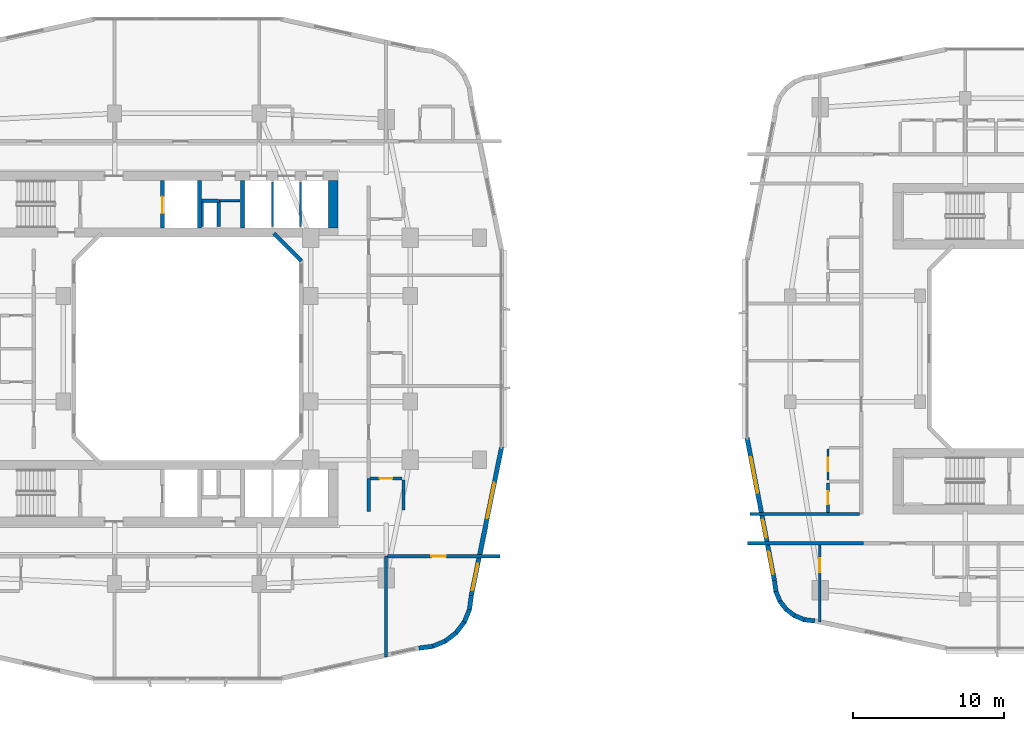
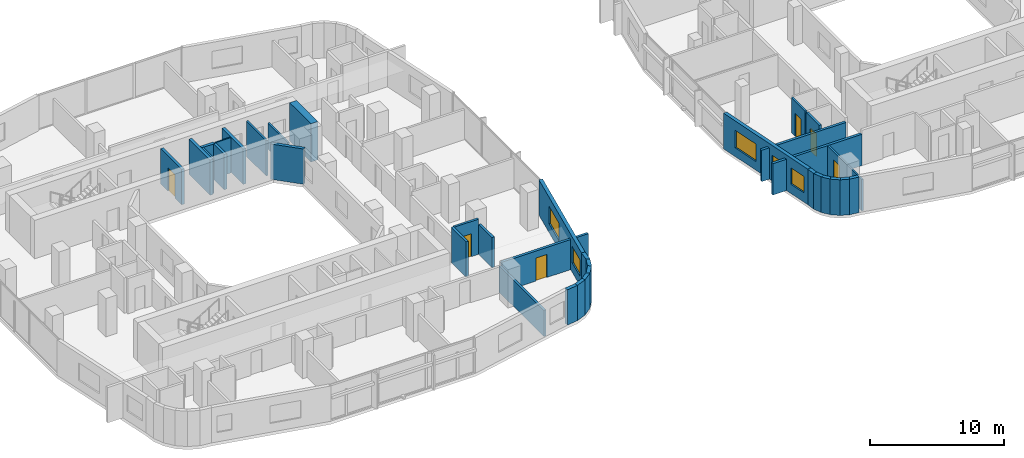
# One storey, part 15 of 27: 35 walls, 6 doors, 5 windows, 11 openings.
"""IFC4 building model written with IfcOpenShell, lengths in metres."""

from ifc_helpers import new_model, si_unit, derived_unit, direction, frame, frame_2d, origin, place, context, subcontext, project, spatial, rectangle, extrude, material, layer, layer_set, type_object, element, fill, save


model = new_model("IFC4")

# Units and contexts
model_context = context("Model", 3, precision=1e-05, world=origin(), true_north=direction((0.0, 1.0)))
body_context = subcontext(model_context, "Body", "Model", "MODEL_VIEW")
ifc_project = project(units=[si_unit("LENGTHUNIT", "METRE"), si_unit("AREAUNIT", "SQUARE_METRE"), si_unit("VOLUMEUNIT", "CUBIC_METRE"), si_unit("PLANEANGLEUNIT", "RADIAN"), si_unit("MASSUNIT", "GRAM", prefix="KILO"), derived_unit("THERMALTRANSMITTANCEUNIT", [(si_unit("POWERUNIT", "WATT"), 1), (si_unit("LENGTHUNIT", "METRE"), -2), (si_unit("THERMODYNAMICTEMPERATUREUNIT", "KELVIN"), -1)])], contexts=[model_context])

# Site, building, storey
site_placement = place(None, origin())
site = spatial("IfcSite", under=ifc_project, at=site_placement, CompositionType="ELEMENT")
building_placement = place(site_placement, origin())
building = spatial("IfcBuilding", under=site, at=building_placement, Name="Kivonza Crest Hotel", CompositionType="ELEMENT")
storey_placement = place(building_placement, frame((0.0, 0.0, 34.5)))
storey = spatial("IfcBuildingStorey", under=building, at=storey_placement, Name="L08", CompositionType="ELEMENT", Elevation=34.5)

# Wall
ifc_material_1 = material(Name="High-density acoustic masonry inter-tenancy wall", Category="masonry")
ifc_layer_1 = layer(ifc_material_1, 0.179931640625)
ifc_layer_set_1 = layer_set([ifc_layer_1], Name="High-density acoustic masonry inter-tenancy wall")
wall_type_1 = type_object("IfcWallType", Name="WL-ACOU-180", PredefinedType="SOLIDWALL", material=ifc_layer_set_1)
wall_1_placement = place(storey_placement, frame((34.199951171875, 4.575927734375, 0.0), z_axis=(0.0, 0.0, 1.0), x_axis=(0.0, 1.0, 0.0)))
element("IfcWall", 1, at=wall_1_placement, inside=storey, type_object=wall_type_1, Name="L08 interior partition WA-L08-T1S-DIV4", PredefinedType="SOLIDWALL", context=body_context, shape_type="SweptSolid", body=[
    extrude(rectangle(XDim=6.674072265625, YDim=0.179931640625, at=frame_2d((3.3369140625, 0.0))), origin(), (0.0, 0.0, 1.0), 2.39501953125),
])

# Wall, opening, door
ifc_material_2 = material(Name="Autoclaved aerated concrete blockwork", Category="masonry")
ifc_layer_2 = layer(ifc_material_2, 0.219970703125)
ifc_layer_set_2 = layer_set([ifc_layer_2], Name="Autoclaved aerated concrete blockwork")
wall_type_2 = type_object("IfcWallType", Name="WL-ACOU-220", PredefinedType="SOLIDWALL", material=ifc_layer_set_2)
wall_2_placement = place(storey_placement, frame((34.300048828125, 11.25, 0.0), z_axis=(0.0, 0.0, 1.0), x_axis=(1.0, 0.0, 0.0)))
wall_2 = element("IfcWall", 2, at=wall_2_placement, inside=storey, type_object=wall_type_2, Name="L08 interior partition WA-L08-BUS-MTG-N", PredefinedType="SOLIDWALL", context=body_context, shape_type="SweptSolid", body=[
    extrude(rectangle(XDim=7.43994140625, YDim=0.219970703125, at=frame_2d((3.719970703125, 0.0))), origin(), (0.0, 0.0, 1.0), 2.7451171875),
])
opening_1_placement = place(wall_2_placement, frame((2.910888671875, 0.0, 0.0)))
opening_1 = element("IfcOpeningElement", 3, at=opening_1_placement, cuts=wall_2, Name="Opening DF-60S", PredefinedType="OPENING", context=body_context, shape_type="SweptSolid", body=[
    extrude(rectangle(XDim=0.949951171875, YDim=2.10009765625, at=frame_2d((0.47509765625, 1.050048828125))), frame((0.0, 0.1201171875, 0.0), z_axis=(0.0, -1.0, 0.0), x_axis=(1.0, 0.0, 0.0)), (0.0, 0.0, 1.0), 0.239990234375),
])
ifc_material_3 = material(Name="Hardwood timber oak", Category="wood")
door_type_1 = type_object("IfcDoorType", Name="DR-FD60-950", OperationType="NOTDEFINED", PredefinedType="DOOR", material=ifc_material_3)
door_1_placement = place(opening_1_placement, frame((0.949951171875, 0.0, 0.0), z_axis=(0.0, 0.0, 1.0), x_axis=(-1.0, 0.0, 0.0)))
door_1 = element("IfcDoor", 4, at=door_1_placement, inside=storey, type_object=door_type_1, Name="L08 Floor Beverage Kitchen door", OperationType="SINGLE_SWING_RIGHT", OverallHeight=2.10009765625, OverallWidth=0.949951171875, PredefinedType="DOOR", context=body_context, shape_type="SweptSolid", body=[
    extrude(rectangle(XDim=0.949951171875, YDim=2.10009765625, at=frame_2d((0.47509765625, 1.050048828125))), frame((0.0, 0.02490234375, 0.0), z_axis=(0.0, -1.0, 0.0), x_axis=(1.0, 0.0, 0.0)), (0.0, 0.0, 1.0), 0.050048828125),
])
fill(opening_1, door_1)

# Walls
wall_3_placement = place(storey_placement, frame((33.050048828125, 14.199951171875, 0.0), z_axis=(0.0, 0.0, 1.0), x_axis=(0.0, 1.0, 0.0)))
element("IfcWall", 5, at=wall_3_placement, inside=storey, type_object=wall_type_2, Name="L08 interior partition WA-L08-E10-BCORR", PredefinedType="SOLIDWALL", context=body_context, shape_type="SweptSolid", body=[
    extrude(rectangle(XDim=2.199951171875, YDim=0.219970703125, at=frame_2d((1.10009765625, 0.0))), origin(), (0.0, 0.0, 1.0), 3.219970703125),
])
wall_4_placement = place(storey_placement, frame((58.159912109375, 12.10009765625, 0.0), z_axis=(0.0, 0.0, 1.0), x_axis=(1.0, 0.0, 0.0)))
element("IfcWall", 6, at=wall_4_placement, inside=storey, type_object=wall_type_2, Name="L08 interior partition WA-L08-A04-LCORR", PredefinedType="SOLIDWALL", context=body_context, shape_type="SweptSolid", body=[
    extrude(rectangle(XDim=7.690185546875, YDim=0.219970703125, at=frame_2d((3.84521484375, 0.0))), origin(), (0.0, 0.0, 1.0), 2.864990234375),
])
wall_5_placement = place(storey_placement, frame((58.320068359375, 14.0400390625, 0.0), z_axis=(0.0, 0.0, 1.0), x_axis=(1.0, 0.0, 0.0)))
element("IfcWall", 7, at=wall_5_placement, inside=storey, type_object=wall_type_2, Name="L08 interior partition WA-L08-T2W-ENDS", PredefinedType="SOLIDWALL", context=body_context, shape_type="SweptSolid", body=[
    extrude(rectangle(XDim=7.280029296875, YDim=0.219970703125, at=frame_2d((3.64013671875, 0.0))), origin(), (0.0, 0.0, 1.0), 2.864990234375),
])
ifc_material_4 = material(Name="Concrete C60/75", Category="concrete")
ifc_layer_3 = layer(ifc_material_4, 0.60009765625)
ifc_layer_set_3 = layer_set([ifc_layer_3], Name="Concrete C60/75")
wall_type_3 = type_object("IfcWallType", Name="WL-CORE-600", PredefinedType="SHEAR", material=ifc_layer_set_3)
wall_6_placement = place(storey_placement, frame((30.699951171875, 33.0, 0.0), z_axis=(0.0, 0.0, 1.0), x_axis=(0.0, 1.0, 0.0)))
element("IfcWall", 8, at=wall_6_placement, inside=storey, type_object=wall_type_3, Name="Core wall T1-N East L08", PredefinedType="SHEAR", context=body_context, shape_type="SweptSolid", body=[
    extrude(rectangle(XDim=3.159912109375, YDim=0.60009765625, at=frame_2d((1.580078125, 0.0))), origin(), (0.0, 0.0, 1.0), 3.5),
])
ifc_material_5 = material(Name="Precast concrete C40/50", Category="concrete")
ifc_layer_4 = layer(ifc_material_5, 0.260009765625)
ifc_layer_set_4 = layer_set([ifc_layer_4], Name="Precast concrete C40/50")
wall_type_4 = type_object("IfcWallType", Name="WL-EXT-260", PredefinedType="STANDARD", material=ifc_layer_set_4)
wall_7_placement = place(storey_placement, frame((28.595947265625, 30.827880859375, 0.0), z_axis=(0.0, 0.0, 1.0), x_axis=(-0.707059717605, 0.707153841636, 0.0)))
element("IfcWall", 9, at=wall_7_placement, inside=storey, type_object=wall_type_4, Name="L08 T1 light-well exterior wall 4", PredefinedType="STANDARD", context=body_context, shape_type="SweptSolid", body=[
    extrude(rectangle(XDim=2.59375, YDim=0.260009765625, at=frame_2d((1.296875, 0.0))), origin(), (0.0, 0.0, 1.0), 3.219970703125),
])
ifc_layer_5 = layer(ifc_material_5, 0.300048828125)
ifc_layer_set_5 = layer_set([ifc_layer_5], Name="Precast concrete C40/50")
wall_type_5 = type_object("IfcWallType", Name="WL-EXT-300", PredefinedType="STANDARD", material=ifc_layer_set_5)
wall_8_placement = place(storey_placement, frame((36.3720703125, 5.14794921875, 0.0), z_axis=(0.0, 0.0, 1.0), x_axis=(0.991359246108, 0.131174864804, 0.0)))
element("IfcWall", 10, at=wall_8_placement, inside=storey, type_object=wall_type_5, Name="L08 T1 exterior insulated wall 10", PredefinedType="STANDARD", context=body_context, shape_type="SweptSolid", body=[
    extrude(rectangle(XDim=0.93798828125, YDim=0.300048828125, at=frame_2d((0.468994140625, 0.0))), origin(), (0.0, 0.0, 1.0), 3.219970703125),
])
wall_9_placement = place(storey_placement, frame((37.251953125, 5.251953125, 0.0), z_axis=(0.0, 0.0, 1.0), x_axis=(0.924019948111, 0.382344263057, 0.0)))
element("IfcWall", 11, at=wall_9_placement, inside=storey, type_object=wall_type_5, Name="L08 T1 exterior insulated wall 11", PredefinedType="STANDARD", context=body_context, shape_type="SweptSolid", body=[
    extrude(rectangle(XDim=0.95458984375, YDim=0.300048828125, at=frame_2d((0.477294921875, 0.0))), origin(), (0.0, 0.0, 1.0), 3.219970703125),
])
wall_10_placement = place(storey_placement, frame((38.089111328125, 5.5859375, 0.0), z_axis=(0.0, 0.0, 1.0), x_axis=(0.793573440799, 0.608474481025, 0.0)))
element("IfcWall", 12, at=wall_10_placement, inside=storey, type_object=wall_type_5, Name="L08 T1 exterior insulated wall 12", PredefinedType="STANDARD", context=body_context, shape_type="SweptSolid", body=[
    extrude(rectangle(XDim=0.954833984375, YDim=0.300048828125, at=frame_2d((0.4775390625, 0.0))), origin(), (0.0, 0.0, 1.0), 3.219970703125),
])
wall_11_placement = place(storey_placement, frame((38.81201171875, 6.125, 0.0), z_axis=(0.0, 0.0, 1.0), x_axis=(0.608351047625, 0.793668068435, 0.0)))
element("IfcWall", 13, at=wall_11_placement, inside=storey, type_object=wall_type_5, Name="L08 T1 exterior insulated wall 13", PredefinedType="STANDARD", context=body_context, shape_type="SweptSolid", body=[
    extrude(rectangle(XDim=0.955078125, YDim=0.300048828125, at=frame_2d((0.4775390625, 0.0))), origin(), (0.0, 0.0, 1.0), 3.219970703125),
])
wall_12_placement = place(storey_placement, frame((39.368896484375, 6.833984375, 0.0), z_axis=(0.0, 0.0, 1.0), x_axis=(0.382344263057, 0.924019948111, 0.0)))
element("IfcWall", 14, at=wall_12_placement, inside=storey, type_object=wall_type_5, Name="L08 T1 exterior insulated wall 14", PredefinedType="STANDARD", context=body_context, shape_type="SweptSolid", body=[
    extrude(rectangle(XDim=0.95458984375, YDim=0.300048828125, at=frame_2d((0.477294921875, 0.0))), origin(), (0.0, 0.0, 1.0), 3.219970703125),
])
wall_13_placement = place(storey_placement, frame((39.72509765625, 7.6630859375, 0.0), z_axis=(0.0, 0.0, 1.0), x_axis=(0.130454512571, 0.991454295543, 0.0)))
element("IfcWall", 15, at=wall_13_placement, inside=storey, type_object=wall_type_5, Name="L08 T1 exterior insulated wall 15", PredefinedType="STANDARD", context=body_context, shape_type="SweptSolid", body=[
    extrude(rectangle(XDim=0.97314453125, YDim=0.300048828125, at=frame_2d((0.486572265625, 0.0))), origin(), (0.0, 0.0, 1.0), 3.219970703125),
])

# Wall, openings, windows
wall_14_placement = place(storey_placement, frame((39.85107421875, 8.6220703125, 0.0), z_axis=(0.0, 0.0, 1.0), x_axis=(0.199990901713, 0.979797754249, 0.0)))
wall_14 = element("IfcWall", 16, at=wall_14_placement, inside=storey, type_object=wall_type_5, Name="L08 T1 exterior insulated wall 16", PredefinedType="STANDARD", context=body_context, shape_type="SweptSolid", body=[
    extrude(rectangle(XDim=10.065185546875, YDim=0.300048828125, at=frame_2d((5.03271484375, 0.0))), origin(), (0.0, 0.0, 1.0), 3.219970703125),
])
opening_2_placement = place(wall_14_placement, frame((0.3779296875, 0.0, 0.85009765625)))
opening_2 = element("IfcOpeningElement", 17, at=opening_2_placement, cuts=wall_14, Name="Opening WN-03", PredefinedType="OPENING", context=body_context, shape_type="SweptSolid", body=[
    extrude(rectangle(XDim=1.800048828125, YDim=1.5, at=frame_2d((0.89990234375, 0.75))), frame((0.0, 0.16015625, 0.0), z_axis=(0.0, -1.0, 0.0), x_axis=(1.0, 0.0, 0.0)), (0.0, 0.0, 1.0), 0.320068359375),
])
opening_3_placement = place(wall_14_placement, frame((5.236083984375, 0.0, 0.800048828125)))
opening_3 = element("IfcOpeningElement", 18, at=opening_3_placement, cuts=wall_14, Name="Opening WN-05", PredefinedType="OPENING", context=body_context, shape_type="SweptSolid", body=[
    extrude(rectangle(XDim=2.39990234375, YDim=1.60009765625, at=frame_2d((1.199951171875, 0.800048828125))), frame((0.0, 0.16015625, 0.0), z_axis=(0.0, -1.0, 0.0), x_axis=(1.0, 0.0, 0.0)), (0.0, 0.0, 1.0), 0.320068359375),
])
ifc_material_6 = material(Name="Thermally broken bronze aluminium and low-E double glazing", Category="aluminium")
window_type_1 = type_object("IfcWindowType", Name="WN-180x150", PartitioningType="DOUBLE_PANEL_VERTICAL", PredefinedType="WINDOW", material=ifc_material_6)
window_1_placement = place(opening_2_placement, origin())
window_1 = element("IfcWindow", 19, at=window_1_placement, inside=storey, type_object=window_type_1, Name="L08 T1 facade window 16 bay 1", OverallHeight=1.5, OverallWidth=1.800048828125, PartitioningType="SINGLE_PANEL", PredefinedType="WINDOW", context=body_context, shape_type="SweptSolid", body=[
    extrude(rectangle(XDim=1.800048828125, YDim=1.5, at=frame_2d((0.89990234375, 0.75))), frame((0.0, 0.030029296875, 0.0), z_axis=(0.0, -1.0, 0.0), x_axis=(1.0, 0.0, 0.0)), (0.0, 0.0, 1.0), 0.06005859375),
])
fill(opening_2, window_1)
window_type_2 = type_object("IfcWindowType", Name="WN-240x160", PartitioningType="TRIPLE_PANEL_VERTICAL", PredefinedType="WINDOW", material=ifc_material_6)
window_2_placement = place(opening_3_placement, origin())
window_2 = element("IfcWindow", 20, at=window_2_placement, inside=storey, type_object=window_type_2, Name="L08 T1 facade window 16 bay 2", OverallHeight=1.60009765625, OverallWidth=2.39990234375, PartitioningType="SINGLE_PANEL", PredefinedType="WINDOW", context=body_context, shape_type="SweptSolid", body=[
    extrude(rectangle(XDim=2.39990234375, YDim=1.60009765625, at=frame_2d((1.199951171875, 0.800048828125))), frame((0.0, 0.030029296875, 0.0), z_axis=(0.0, -1.0, 0.0), x_axis=(1.0, 0.0, 0.0)), (0.0, 0.0, 1.0), 0.06005859375),
])
fill(opening_3, window_2)

# Walls
wall_15_placement = place(storey_placement, frame((59.947998046875, 9.626953125, 0.0), z_axis=(0.0, 0.0, 1.0), x_axis=(0.130255288807, -0.991480488834, 0.0)))
element("IfcWall", 21, at=wall_15_placement, inside=storey, type_object=wall_type_5, Name="L08 T2 exterior insulated wall 1", PredefinedType="STANDARD", context=body_context, shape_type="SweptSolid", body=[
    extrude(rectangle(XDim=0.72900390625, YDim=0.300048828125, at=frame_2d((0.364501953125, 0.0))), origin(), (0.0, 0.0, 1.0), 3.25),
])
for number, where, z_axis, x_axis, name in (
    (22, (60.02392578125, 8.955078125, 0.0), (0.0, 0.0, 1.0), (0.383546213491, -0.923521684703, 0.0), "L08 T2 exterior insulated wall 2"),
    (23, (60.279052734375, 8.31103515625, 0.0), (0.0, 0.0, 1.0), (0.608397189915, -0.79363269798, 0.0), "L08 T2 exterior insulated wall 3"),
    (24, (60.69091796875, 7.75390625, 0.0), (0.0, 0.0, 1.0), (0.79363269798, -0.608397189915, 0.0), "L08 T2 exterior insulated wall 4"),
    (25, (61.23388671875, 7.323974609375, 0.0), (0.0, 0.0, 1.0), (0.923685632463, -0.383151213466, 0.0), "L08 T2 exterior insulated wall 5"),
):
    element("IfcWall", number, at=place(storey_placement, frame(where, z_axis=z_axis, x_axis=x_axis)), inside=storey, type_object=wall_type_5, Name=name, PredefinedType="STANDARD", context=body_context, shape_type="SweptSolid", body=[
        extrude(rectangle(XDim=0.74609375, YDim=0.300048828125, at=frame_2d((0.373046875, 0.0))), origin(), (0.0, 0.0, 1.0), 3.25),
    ])
wall_16_placement = place(storey_placement, frame((61.868896484375, 7.047119140625, 0.0), z_axis=(0.0, 0.0, 1.0), x_axis=(0.991559404866, -0.129653178221, 0.0)))
element("IfcWall", 26, at=wall_16_placement, inside=storey, type_object=wall_type_5, Name="L08 T2 exterior insulated wall 6", PredefinedType="STANDARD", context=body_context, shape_type="SweptSolid", body=[
    extrude(rectangle(XDim=0.764404296875, YDim=0.300048828125, at=frame_2d((0.38232421875, 0.0))), origin(), (0.0, 0.0, 1.0), 3.25),
])

# Wall, openings, windows
wall_17_placement = place(storey_placement, frame((58.136962890625, 19.08203125, 0.0), z_axis=(0.0, 0.0, 1.0), x_axis=(0.188087874316, -0.982152203854, 0.0)))
wall_17 = element("IfcWall", 27, at=wall_17_placement, inside=storey, type_object=wall_type_5, Name="L08 T2 exterior insulated wall 36", PredefinedType="STANDARD", context=body_context, shape_type="SweptSolid", body=[
    extrude(rectangle(XDim=9.6337890625, YDim=0.300048828125, at=frame_2d((4.81689453125, 0.0))), origin(), (0.0, 0.0, 1.0), 3.25),
])
opening_4_placement = place(wall_17_placement, frame((1.305908203125, 0.0, 0.800048828125)))
opening_4 = element("IfcOpeningElement", 28, at=opening_4_placement, cuts=wall_17, Name="Opening WN-05", PredefinedType="OPENING", context=body_context, shape_type="SweptSolid", body=[
    extrude(rectangle(XDim=2.39990234375, YDim=1.60009765625, at=frame_2d((1.199951171875, 0.800048828125))), frame((0.0, 0.16015625, 0.0), z_axis=(0.0, -1.0, 0.0), x_axis=(1.0, 0.0, 0.0)), (0.0, 0.0, 1.0), 0.320068359375),
])
opening_5_placement = place(wall_17_placement, frame((5.52099609375, 0.0, 0.85009765625)))
opening_5 = element("IfcOpeningElement", 29, at=opening_5_placement, cuts=wall_17, Name="Opening WN-01", PredefinedType="OPENING", context=body_context, shape_type="SweptSolid", body=[
    extrude(rectangle(XDim=1.199951171875, YDim=1.5, at=frame_2d((0.60009765625, 0.75))), frame((0.0, 0.16015625, 0.0), z_axis=(0.0, -1.0, 0.0), x_axis=(1.0, 0.0, 0.0)), (0.0, 0.0, 1.0), 0.320068359375),
])
opening_6_placement = place(wall_17_placement, frame((7.681884765625, 0.0, 0.85009765625)))
opening_6 = element("IfcOpeningElement", 30, at=opening_6_placement, cuts=wall_17, Name="Opening WN-02", PredefinedType="OPENING", context=body_context, shape_type="SweptSolid", body=[
    extrude(rectangle(XDim=1.5, YDim=1.5, at=frame_2d((0.75, 0.75))), frame((0.0, 0.16015625, 0.0), z_axis=(0.0, -1.0, 0.0), x_axis=(1.0, 0.0, 0.0)), (0.0, 0.0, 1.0), 0.320068359375),
])
window_type_3 = type_object("IfcWindowType", Name="WN-120x150", PartitioningType="SINGLE_PANEL", PredefinedType="WINDOW", material=ifc_material_6)
window_3_placement = place(opening_5_placement, origin())
window_3 = element("IfcWindow", 31, at=window_3_placement, inside=storey, type_object=window_type_3, Name="L08 T2 facade window 36 bay 2", OverallHeight=1.5, OverallWidth=1.199951171875, PartitioningType="SINGLE_PANEL", PredefinedType="WINDOW", context=body_context, shape_type="SweptSolid", body=[
    extrude(rectangle(XDim=1.199951171875, YDim=1.5, at=frame_2d((0.60009765625, 0.75))), frame((0.0, 0.030029296875, 0.0), z_axis=(0.0, -1.0, 0.0), x_axis=(1.0, 0.0, 0.0)), (0.0, 0.0, 1.0), 0.06005859375),
])
fill(opening_5, window_3)
window_type_4 = type_object("IfcWindowType", Name="WN-150x150", PartitioningType="DOUBLE_PANEL_VERTICAL", PredefinedType="WINDOW", material=ifc_material_6)
window_4_placement = place(opening_6_placement, origin())
window_4 = element("IfcWindow", 32, at=window_4_placement, inside=storey, type_object=window_type_4, Name="L08 T2 facade window 36 bay 3", OverallHeight=1.5, OverallWidth=1.5, PartitioningType="SINGLE_PANEL", PredefinedType="WINDOW", context=body_context, shape_type="SweptSolid", body=[
    extrude(rectangle(XDim=1.5, YDim=1.5, at=frame_2d((0.75, 0.75))), frame((0.0, 0.030029296875, 0.0), z_axis=(0.0, -1.0, 0.0), x_axis=(1.0, 0.0, 0.0)), (0.0, 0.0, 1.0), 0.06005859375),
])
fill(opening_6, window_4)
window_5_placement = place(opening_4_placement, origin())
window_5 = element("IfcWindow", 33, at=window_5_placement, inside=storey, type_object=window_type_2, Name="L08 T2 facade window 36 bay 1", OverallHeight=1.60009765625, OverallWidth=2.39990234375, PartitioningType="SINGLE_PANEL", PredefinedType="WINDOW", context=body_context, shape_type="SweptSolid", body=[
    extrude(rectangle(XDim=2.39990234375, YDim=1.60009765625, at=frame_2d((1.199951171875, 0.800048828125))), frame((0.0, 0.030029296875, 0.0), z_axis=(0.0, -1.0, 0.0), x_axis=(1.0, 0.0, 0.0)), (0.0, 0.0, 1.0), 0.06005859375),
])
fill(opening_4, window_5)

# Walls
ifc_material_7 = material(Name="Concrete blockwork fire-compartment wall", Category="masonry")
ifc_layer_6 = layer(ifc_material_7, 0.25)
ifc_layer_set_6 = layer_set([ifc_layer_6], Name="Concrete blockwork fire-compartment wall")
wall_type_6 = type_object("IfcWallType", Name="WL-FIRE-250", PredefinedType="SOLIDWALL", material=ifc_layer_set_6)
wall_18_placement = place(storey_placement, frame((23.10009765625, 33.10009765625, 0.0), z_axis=(0.0, 0.0, 1.0), x_axis=(0.0, 1.0, 0.0)))
element("IfcWall", 34, at=wall_18_placement, inside=storey, type_object=wall_type_6, Name="L08 interior partition WA-L08-T1-N-MEPR-E", PredefinedType="SOLIDWALL", context=body_context, shape_type="SweptSolid", body=[
    extrude(rectangle(XDim=1.619873046875, YDim=0.25, at=frame_2d((0.81005859375, 0.0))), origin(), (0.0, 0.0, 1.0), 3.219970703125),
])
wall_19_placement = place(storey_placement, frame((21.949951171875, 34.820068359375, 0.0), z_axis=(0.0, 0.0, 1.0), x_axis=(1.0, 0.0, 0.0)))
element("IfcWall", 35, at=wall_19_placement, inside=storey, type_object=wall_type_6, Name="L08 interior partition WA-L08-T1-N-MEPR-H", PredefinedType="SOLIDWALL", context=body_context, shape_type="SweptSolid", body=[
    extrude(rectangle(XDim=1.150146484375, YDim=0.25, at=frame_2d((0.5751953125, 0.0))), origin(), (0.0, 0.0, 1.0), 3.219970703125),
])
ifc_material_8 = material(Name="Metal-stud gypsum board partition", Category="gypsum")
ifc_layer_7 = layer(ifc_material_8, 0.125)
ifc_layer_set_7 = layer_set([ifc_layer_7], Name="Metal-stud gypsum board partition")
wall_type_7 = type_object("IfcWallType", Name="WL-PART-125", PredefinedType="PARTITIONING", material=ifc_layer_set_7)
wall_20_placement = place(storey_placement, frame((23.14990234375, 34.820068359375, 0.0), z_axis=(0.0, 0.0, 1.0), x_axis=(1.0, 0.0, 0.0)))
element("IfcWall", 36, at=wall_20_placement, inside=storey, type_object=wall_type_7, Name="L08 interior partition WP-L08-T1-N-SV2H", PredefinedType="PARTITIONING", context=body_context, shape_type="SweptSolid", body=[
    extrude(rectangle(XDim=1.35009765625, YDim=0.125, at=frame_2d((0.675048828125, 0.0))), origin(), (0.0, 0.0, 1.0), 3.219970703125),
])
ifc_material_9 = material(Name="Twin-stud acoustic gypsum board partition", Category="gypsum")
ifc_layer_8 = layer(ifc_material_9, 0.14990234375)
ifc_layer_set_8 = layer_set([ifc_layer_8], Name="Twin-stud acoustic gypsum board partition")
wall_type_8 = type_object("IfcWallType", Name="WL-PART-150", PredefinedType="PARTITIONING", material=ifc_layer_set_8)
wall_21_placement = place(storey_placement, frame((22.030029296875, 33.10009765625, 0.0), z_axis=(0.0, 0.0, 1.0), x_axis=(0.0, 1.0, 0.0)))
element("IfcWall", 37, at=wall_21_placement, inside=storey, type_object=wall_type_8, Name="L08 interior partition WA-L08-T1-N-MEPR-W", PredefinedType="PARTITIONING", context=body_context, shape_type="SweptSolid", body=[
    extrude(rectangle(XDim=1.619873046875, YDim=0.14990234375, at=frame_2d((0.81005859375, 0.0))), origin(), (0.0, 0.0, 1.0), 3.219970703125),
])
wall_22_placement = place(storey_placement, frame((26.6669921875, 33.10009765625, 0.0), z_axis=(0.0, 0.0, 1.0), x_axis=(0.0, 1.0, 0.0)))
element("IfcWall", 38, at=wall_22_placement, inside=storey, type_object=wall_type_8, Name="L08 interior partition WP-L08-T1-N-BSH-1", PredefinedType="PARTITIONING", context=body_context, shape_type="SweptSolid", body=[
    extrude(rectangle(XDim=2.9599609375, YDim=0.14990234375, at=frame_2d((1.47998046875, 0.0))), origin(), (0.0, 0.0, 1.0), 3.219970703125),
])
wall_23_placement = place(storey_placement, frame((28.532958984375, 33.10009765625, 0.0), z_axis=(0.0, 0.0, 1.0), x_axis=(0.0, 1.0, 0.0)))
element("IfcWall", 39, at=wall_23_placement, inside=storey, type_object=wall_type_8, Name="L08 interior partition WP-L08-T1-N-BSH-2", PredefinedType="PARTITIONING", context=body_context, shape_type="SweptSolid", body=[
    extrude(rectangle(XDim=2.9599609375, YDim=0.14990234375, at=frame_2d((1.47998046875, 0.0))), origin(), (0.0, 0.0, 1.0), 2.39501953125),
])

# Wall, opening, door
wall_24_placement = place(storey_placement, frame((62.9599609375, 6.886962890625, 0.0), z_axis=(0.0, 0.0, 1.0), x_axis=(0.0, 1.0, 0.0)))
wall_24 = element("IfcWall", 40, at=wall_24_placement, inside=storey, type_object=wall_type_8, Name="L08 interior partition WP-L08-A04-BDW1", PredefinedType="PARTITIONING", context=body_context, shape_type="SweptSolid", body=[
    extrude(rectangle(XDim=5.113037109375, YDim=0.14990234375, at=frame_2d((2.556640625, 0.0))), origin(), (0.0, 0.0, 1.0), 2.864990234375),
])
opening_7_placement = place(wall_24_placement, frame((3.31005859375, 0.0, 0.0)))
opening_7 = element("IfcOpeningElement", 41, at=opening_7_placement, cuts=wall_24, Name="Opening DI-90", PredefinedType="OPENING", context=body_context, shape_type="SweptSolid", body=[
    extrude(rectangle(XDim=0.89990234375, YDim=2.10009765625, at=frame_2d((0.449951171875, 1.050048828125))), frame((0.0, 0.0849609375, 0.0), z_axis=(0.0, -1.0, 0.0), x_axis=(1.0, 0.0, 0.0)), (0.0, 0.0, 1.0), 0.169921875),
])
door_type_2 = type_object("IfcDoorType", Name="DR-INT-900", OperationType="NOTDEFINED", PredefinedType="DOOR", material=ifc_material_3)
door_2_placement = place(opening_7_placement, origin())
door_2 = element("IfcDoor", 42, at=door_2_placement, inside=storey, type_object=door_type_2, Name="L08 A04 bedroom 1 door", OperationType="SINGLE_SWING_LEFT", OverallHeight=2.10009765625, OverallWidth=0.89990234375, PredefinedType="DOOR", context=body_context, shape_type="SweptSolid", body=[
    extrude(rectangle(XDim=0.89990234375, YDim=2.10009765625, at=frame_2d((0.449951171875, 1.050048828125))), frame((0.0, 0.02490234375, 0.0), z_axis=(0.0, -1.0, 0.0), x_axis=(1.0, 0.0, 0.0)), (0.0, 0.0, 1.0), 0.050048828125),
])
fill(opening_7, door_2)

wall_25_placement = place(storey_placement, frame((63.5, 16.2900390625, 0.0), z_axis=(0.0, 0.0, 1.0), x_axis=(0.0, 1.0, 0.0)))
wall_25 = element("IfcWall", 43, at=wall_25_placement, inside=storey, type_object=wall_type_8, Name="L08 interior partition WP-L08-A06-KSVC", PredefinedType="PARTITIONING", context=body_context, shape_type="SweptSolid", body=[
    extrude(rectangle(XDim=2.050048828125, YDim=0.14990234375, at=frame_2d((1.02490234375, 0.0))), origin(), (0.0, 0.0, 1.0), 3.219970703125),
])
opening_8_placement = place(wall_25_placement, frame((0.574951171875, 0.0, 0.0)))
opening_8 = element("IfcOpeningElement", 44, at=opening_8_placement, cuts=wall_25, Name="Opening DI-90", PredefinedType="OPENING", context=body_context, shape_type="SweptSolid", body=[
    extrude(rectangle(XDim=0.89990234375, YDim=2.10009765625, at=frame_2d((0.449951171875, 1.050048828125))), frame((0.0, 0.0849609375, 0.0), z_axis=(0.0, -1.0, 0.0), x_axis=(1.0, 0.0, 0.0)), (0.0, 0.0, 1.0), 0.169921875),
])
door_3_placement = place(opening_8_placement, origin())
door_3 = element("IfcDoor", 45, at=door_3_placement, inside=storey, type_object=door_type_2, Name="L08 A06 apartment kitchen door", OperationType="SINGLE_SWING_RIGHT", OverallHeight=2.10009765625, OverallWidth=0.89990234375, PredefinedType="DOOR", context=body_context, shape_type="SweptSolid", body=[
    extrude(rectangle(XDim=0.89990234375, YDim=2.10009765625, at=frame_2d((0.449951171875, 1.050048828125))), frame((0.0, 0.02490234375, 0.0), z_axis=(0.0, -1.0, 0.0), x_axis=(1.0, 0.0, 0.0)), (0.0, 0.0, 1.0), 0.050048828125),
])
fill(opening_8, door_3)

ifc_material_10 = material(Name="Moisture-resistant plumbing chase partition wall", Category="gypsum")
ifc_layer_9 = layer(ifc_material_10, 0.199951171875)
ifc_layer_set_9 = layer_set([ifc_layer_9], Name="Moisture-resistant plumbing chase partition wall")
wall_type_9 = type_object("IfcWallType", Name="WL-PLUMB-200", PredefinedType="PLUMBINGWALL", material=ifc_layer_set_9)
wall_26_placement = place(storey_placement, frame((33.14990234375, 16.39990234375, 0.0), z_axis=(0.0, 0.0, 1.0), x_axis=(1.0, 0.0, 0.0)))
wall_26 = element("IfcWall", 46, at=wall_26_placement, inside=storey, type_object=wall_type_9, Name="L08 interior partition WW-L08-E10-BH", PredefinedType="PLUMBINGWALL", context=body_context, shape_type="SweptSolid", body=[
    extrude(rectangle(XDim=2.10009765625, YDim=0.199951171875, at=frame_2d((1.050048828125, 0.0))), origin(), (0.0, 0.0, 1.0), 3.219970703125),
])
opening_9_placement = place(wall_26_placement, frame((0.625, 0.0, 0.0)))
opening_9 = element("IfcOpeningElement", 47, at=opening_9_placement, cuts=wall_26, Name="Opening DI-85", PredefinedType="OPENING", context=body_context, shape_type="SweptSolid", body=[
    extrude(rectangle(XDim=0.85009765625, YDim=2.10009765625, at=frame_2d((0.425048828125, 1.050048828125))), frame((0.0, 0.10986328125, 0.0), z_axis=(0.0, -1.0, 0.0), x_axis=(1.0, 0.0, 0.0)), (0.0, 0.0, 1.0), 0.219970703125),
])
door_type_3 = type_object("IfcDoorType", Name="DR-INT-850", OperationType="NOTDEFINED", PredefinedType="DOOR", material=ifc_material_3)
door_4_placement = place(opening_9_placement, origin())
door_4 = element("IfcDoor", 48, at=door_4_placement, inside=storey, type_object=door_type_3, Name="L08 E10 en-suite bathroom door", OperationType="SINGLE_SWING_LEFT", OverallHeight=2.10009765625, OverallWidth=0.85009765625, PredefinedType="DOOR", context=body_context, shape_type="SweptSolid", body=[
    extrude(rectangle(XDim=0.85009765625, YDim=2.10009765625, at=frame_2d((0.425048828125, 1.050048828125))), frame((0.0, 0.02490234375, 0.0), z_axis=(0.0, -1.0, 0.0), x_axis=(1.0, 0.0, 0.0)), (0.0, 0.0, 1.0), 0.050048828125),
])
fill(opening_9, door_4)

# Wall
wall_27_placement = place(storey_placement, frame((35.35009765625, 14.300048828125, 0.0), z_axis=(0.0, 0.0, 1.0), x_axis=(0.0, 1.0, 0.0)))
element("IfcWall", 49, at=wall_27_placement, inside=storey, type_object=wall_type_9, Name="L08 interior partition WW-L08-E10-BV", PredefinedType="PLUMBINGWALL", context=body_context, shape_type="SweptSolid", body=[
    extrude(rectangle(XDim=2.0, YDim=0.199951171875, at=frame_2d((1.0, 0.0))), origin(), (0.0, 0.0, 1.0), 2.7451171875),
])

# Wall, opening, door
wall_28_placement = place(storey_placement, frame((63.5, 14.139892578125, 0.0), z_axis=(0.0, 0.0, 1.0), x_axis=(0.0, 1.0, 0.0)))
wall_28 = element("IfcWall", 50, at=wall_28_placement, inside=storey, type_object=wall_type_9, Name="L08 interior partition WW-L08-A06-BSVC", PredefinedType="PLUMBINGWALL", context=body_context, shape_type="SweptSolid", body=[
    extrude(rectangle(XDim=1.9501953125, YDim=0.199951171875, at=frame_2d((0.97509765625, 0.0))), origin(), (0.0, 0.0, 1.0), 3.219970703125),
])
opening_10_placement = place(wall_28_placement, frame((0.550048828125, 0.0, 0.0)))
opening_10 = element("IfcOpeningElement", 51, at=opening_10_placement, cuts=wall_28, Name="Opening DI-85", PredefinedType="OPENING", context=body_context, shape_type="SweptSolid", body=[
    extrude(rectangle(XDim=0.85009765625, YDim=2.10009765625, at=frame_2d((0.425048828125, 1.050048828125))), frame((0.0, 0.10986328125, 0.0), z_axis=(0.0, -1.0, 0.0), x_axis=(1.0, 0.0, 0.0)), (0.0, 0.0, 1.0), 0.219970703125),
])
door_5_placement = place(opening_10_placement, origin())
door_5 = element("IfcDoor", 52, at=door_5_placement, inside=storey, type_object=door_type_3, Name="L08 A06 apartment bathroom door", OperationType="SINGLE_SWING_LEFT", OverallHeight=2.10009765625, OverallWidth=0.85009765625, PredefinedType="DOOR", context=body_context, shape_type="SweptSolid", body=[
    extrude(rectangle(XDim=0.85009765625, YDim=2.10009765625, at=frame_2d((0.425048828125, 1.050048828125))), frame((0.0, 0.02490234375, 0.0), z_axis=(0.0, -1.0, 0.0), x_axis=(1.0, 0.0, 0.0)), (0.0, 0.0, 1.0), 0.050048828125),
])
fill(opening_10, door_5)

ifc_material_11 = material(Name="Concrete C50/60", Category="concrete")
ifc_layer_10 = layer(ifc_material_11, 0.25)
ifc_layer_set_10 = layer_set([ifc_layer_10], Name="Concrete C50/60")
wall_type_10 = type_object("IfcWallType", Name="WL-SHAFT-250", PredefinedType="STANDARD", material=ifc_layer_set_10)
wall_29_placement = place(storey_placement, frame((19.375, 33.0, 0.0), z_axis=(0.0, 0.0, 1.0), x_axis=(0.0, 1.0, 0.0)))
wall_29 = element("IfcWall", 53, at=wall_29_placement, inside=storey, type_object=wall_type_10, Name="Core shaft wall T1-N FFL-W L08", PredefinedType="STANDARD", context=body_context, shape_type="SweptSolid", body=[
    extrude(rectangle(XDim=3.159912109375, YDim=0.25, at=frame_2d((1.580078125, 0.0))), origin(), (0.0, 0.0, 1.0), 3.219970703125),
])
opening_11_placement = place(wall_29_placement, frame((0.97998046875, 0.0, 0.0)))
opening_11 = element("IfcOpeningElement", 54, at=opening_11_placement, cuts=wall_29, Name="Opening LD-120", PredefinedType="OPENING", context=body_context, shape_type="SweptSolid", body=[
    extrude(rectangle(XDim=1.10009765625, YDim=2.14990234375, at=frame_2d((0.550048828125, 1.074951171875))), frame((0.0, 0.135009765625, 0.0), z_axis=(0.0, -1.0, 0.0), x_axis=(1.0, 0.0, 0.0)), (0.0, 0.0, 1.0), 0.27001953125),
])
ifc_material_12 = material(Name="Stainless steel", Category="steel")
door_type_4 = type_object("IfcDoorType", Name="DR-LD120-1100", OperationType="NOTDEFINED", PredefinedType="DOOR", material=ifc_material_12)
door_6_placement = place(opening_11_placement, origin())
door_6 = element("IfcDoor", 55, at=door_6_placement, inside=storey, type_object=door_type_4, Name="L08 FFL-T1-N firefighting lift sliding landing door", OperationType="DOUBLE_DOOR_SLIDING", OverallHeight=2.14990234375, OverallWidth=1.10009765625, PredefinedType="DOOR", context=body_context, shape_type="SweptSolid", body=[
    extrude(rectangle(XDim=1.10009765625, YDim=2.14990234375, at=frame_2d((0.550048828125, 1.074951171875))), frame((0.0, 0.02490234375, 0.0), z_axis=(0.0, -1.0, 0.0), x_axis=(1.0, 0.0, 0.0)), (0.0, 0.0, 1.0), 0.050048828125),
])
fill(opening_11, door_6)

# Walls
for number, where, z_axis, x_axis, name in (
    (56, (21.824951171875, 33.0, 0.0), (0.0, 0.0, 1.0), (0.0, 1.0, 0.0), "Core shaft wall T1-N FFL-E L08"),
    (57, (24.675048828125, 33.0, 0.0), (0.0, 0.0, 1.0), (0.0, 1.0, 0.0), "Core shaft wall T1-N BANK-W L08"),
):
    element("IfcWall", number, at=place(storey_placement, frame(where, z_axis=z_axis, x_axis=x_axis)), inside=storey, type_object=wall_type_10, Name=name, PredefinedType="STANDARD", context=body_context, shape_type="SweptSolid", body=[
        extrude(rectangle(XDim=3.159912109375, YDim=0.25, at=frame_2d((1.580078125, 0.0))), origin(), (0.0, 0.0, 1.0), 3.219970703125),
    ])

save(model, "model.ifc")
